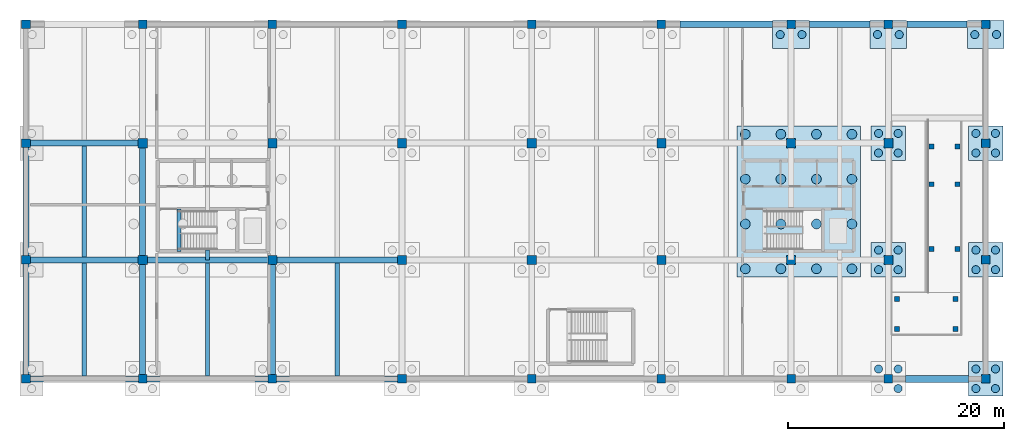
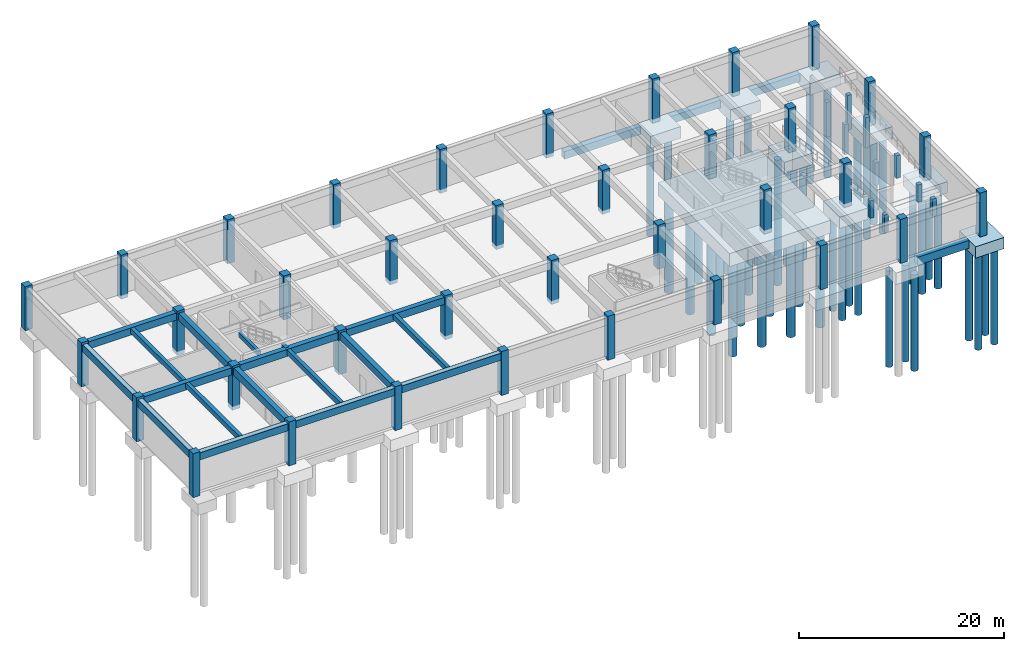
# One storey, part 2 of 8: 46 columns, 45 piles, 18 beams, 13 footings.
"""IFC4 building model written with IfcOpenShell, lengths in metres."""

from ifc_helpers import new_model, si_unit, derived_unit, direction, frame, origin, origin_2d, place, context, subcontext, project, spatial, polyline, rectangle, circle, outline, extrude, material, layer, layer_set, material_profile, profile_set, type_object, element, save


model = new_model("IFC4")

# Units and contexts
model_context = context("Model", 3, precision=1e-05, world=origin(), true_north=direction((0.0, 1.0)))
body_context = subcontext(model_context, "Body", "Model", "MODEL_VIEW")
ifc_project = project(units=[si_unit("LENGTHUNIT", "METRE"), si_unit("AREAUNIT", "SQUARE_METRE"), si_unit("VOLUMEUNIT", "CUBIC_METRE"), si_unit("PLANEANGLEUNIT", "RADIAN"), si_unit("MASSUNIT", "GRAM", prefix="KILO"), derived_unit("THERMALTRANSMITTANCEUNIT", [(si_unit("POWERUNIT", "WATT"), 1), (si_unit("LENGTHUNIT", "METRE"), -2), (si_unit("THERMODYNAMICTEMPERATUREUNIT", "KELVIN"), -1)])], contexts=[model_context])

# Site, building, storey
site_placement = place(None, origin())
site = spatial("IfcSite", under=ifc_project, at=site_placement, CompositionType="ELEMENT")
building_placement = place(site_placement, origin())
building = spatial("IfcBuilding", under=site, at=building_placement, Name="Almenara Railside Exhibition Hall", CompositionType="ELEMENT")
storey_placement = place(building_placement, frame((0.0, 0.0, -4.800048828125)))
storey = spatial("IfcBuildingStorey", under=building, at=storey_placement, Name="B1", CompositionType="ELEMENT", Elevation=-4.800048828125)

# Piles
ifc_material_1 = material(Name="Concrete C40/50", Category="concrete")
ifc_material_profile_1 = material_profile(ifc_material_1, circle(Radius=0.375, at=origin_2d()), Name="CFA-PILE D750")
ifc_profile_set_1 = profile_set([ifc_material_profile_1], Name="Concrete C40/50")
pile_type_1 = type_object("IfcPileType", Name="CFA Bored Pile D750 C40/50", PredefinedType="BORED", material=ifc_profile_set_1)
for number, where, z_axis, x_axis, name in (
    (1, (184.9951171875, 31.85009765625, -1.75), (0.0, 0.0, -1.0), (1.0, 0.0, 0.0), "Bored pile 0386"),
    (2, (187.0048828125, 31.85009765625, -1.75), (0.0, 0.0, -1.0), (1.0, 0.0, 0.0), "Bored pile 0387"),
):
    element("IfcPile", number, at=place(storey_placement, frame(where, z_axis=z_axis, x_axis=x_axis)), inside=storey, type_object=pile_type_1, Name=name, PredefinedType="BORED", context=body_context, shape_type="SweptSolid", body=[
        extrude(circle(Radius=0.375, at=origin_2d()), origin(), (0.0, 0.0, 1.0), 11.449951171875),
    ])
for number, where, z_axis, x_axis, name in (
    (3, (194.094970703125, 0.905029296875, -1.699951171875), (0.0, 0.0, -1.0), (1.0, 0.0, 0.0), "Bored pile 0389"),
    (4, (195.905029296875, -0.905029296875, -1.699951171875), (0.0, 0.0, -1.0), (1.0, 0.0, 0.0), "Bored pile 0390"),
    (5, (195.905029296875, 0.905029296875, -1.699951171875), (0.0, 0.0, -1.0), (1.0, 0.0, 0.0), "Bored pile 0391"),
    (6, (194.094970703125, 10.094970703125, -1.699951171875), (0.0, 0.0, -1.0), (1.0, 0.0, 0.0), "Bored pile 0392"),
    (7, (194.094970703125, 11.905029296875, -1.699951171875), (0.0, 0.0, -1.0), (1.0, 0.0, 0.0), "Bored pile 0393"),
    (8, (195.905029296875, 10.094970703125, -1.699951171875), (0.0, 0.0, -1.0), (1.0, 0.0, 0.0), "Bored pile 0394"),
    (9, (195.905029296875, 11.905029296875, -1.699951171875), (0.0, 0.0, -1.0), (1.0, 0.0, 0.0), "Bored pile 0395"),
    (10, (194.094970703125, 20.89501953125, -1.699951171875), (0.0, 0.0, -1.0), (1.0, 0.0, 0.0), "Bored pile 0396"),
    (11, (194.094970703125, 22.705078125, -1.699951171875), (0.0, 0.0, -1.0), (1.0, 0.0, 0.0), "Bored pile 0397"),
    (12, (195.905029296875, 20.89501953125, -1.699951171875), (0.0, 0.0, -1.0), (1.0, 0.0, 0.0), "Bored pile 0398"),
    (13, (195.905029296875, 22.705078125, -1.699951171875), (0.0, 0.0, -1.0), (1.0, 0.0, 0.0), "Bored pile 0399"),
):
    element("IfcPile", number, at=place(storey_placement, frame(where, z_axis=z_axis, x_axis=x_axis)), inside=storey, type_object=pile_type_1, Name=name, PredefinedType="BORED", context=body_context, shape_type="SweptSolid", body=[
        extrude(circle(Radius=0.375, at=origin_2d()), origin(), (0.0, 0.0, 1.0), 11.5),
    ])
for number, where, z_axis, x_axis, name in (
    (14, (193.9951171875, 31.85009765625, -1.75), (0.0, 0.0, -1.0), (1.0, 0.0, 0.0), "Bored pile 0400"),
    (15, (196.0048828125, 31.85009765625, -1.75), (0.0, 0.0, -1.0), (1.0, 0.0, 0.0), "Bored pile 0401"),
):
    element("IfcPile", number, at=place(storey_placement, frame(where, z_axis=z_axis, x_axis=x_axis)), inside=storey, type_object=pile_type_1, Name=name, PredefinedType="BORED", context=body_context, shape_type="SweptSolid", body=[
        extrude(circle(Radius=0.375, at=origin_2d()), origin(), (0.0, 0.0, 1.0), 11.449951171875),
    ])
for number, where, z_axis, x_axis, name in (
    (16, (203.094970703125, -0.905029296875, -1.699951171875), (0.0, 0.0, -1.0), (1.0, 0.0, 0.0), "Bored pile 0402"),
    (17, (203.094970703125, 0.905029296875, -1.699951171875), (0.0, 0.0, -1.0), (1.0, 0.0, 0.0), "Bored pile 0403"),
    (18, (204.905029296875, -0.905029296875, -1.699951171875), (0.0, 0.0, -1.0), (1.0, 0.0, 0.0), "Bored pile 0404"),
    (19, (204.905029296875, 0.905029296875, -1.699951171875), (0.0, 0.0, -1.0), (1.0, 0.0, 0.0), "Bored pile 0405"),
    (20, (203.094970703125, 10.094970703125, -1.699951171875), (0.0, 0.0, -1.0), (1.0, 0.0, 0.0), "Bored pile 0406"),
    (21, (203.094970703125, 11.905029296875, -1.699951171875), (0.0, 0.0, -1.0), (1.0, 0.0, 0.0), "Bored pile 0407"),
    (22, (204.905029296875, 10.094970703125, -1.699951171875), (0.0, 0.0, -1.0), (1.0, 0.0, 0.0), "Bored pile 0408"),
    (23, (204.905029296875, 11.905029296875, -1.699951171875), (0.0, 0.0, -1.0), (1.0, 0.0, 0.0), "Bored pile 0409"),
    (24, (203.094970703125, 20.89501953125, -1.699951171875), (0.0, 0.0, -1.0), (1.0, 0.0, 0.0), "Bored pile 0410"),
    (25, (203.094970703125, 22.705078125, -1.699951171875), (0.0, 0.0, -1.0), (1.0, 0.0, 0.0), "Bored pile 0411"),
    (26, (204.905029296875, 20.89501953125, -1.699951171875), (0.0, 0.0, -1.0), (1.0, 0.0, 0.0), "Bored pile 0412"),
    (27, (204.905029296875, 22.705078125, -1.699951171875), (0.0, 0.0, -1.0), (1.0, 0.0, 0.0), "Bored pile 0413"),
):
    element("IfcPile", number, at=place(storey_placement, frame(where, z_axis=z_axis, x_axis=x_axis)), inside=storey, type_object=pile_type_1, Name=name, PredefinedType="BORED", context=body_context, shape_type="SweptSolid", body=[
        extrude(circle(Radius=0.375, at=origin_2d()), origin(), (0.0, 0.0, 1.0), 11.5),
    ])
for number, where, z_axis, x_axis, name in (
    (28, (202.9951171875, 31.85009765625, -1.75), (0.0, 0.0, -1.0), (1.0, 0.0, 0.0), "Bored pile 0414"),
    (29, (205.0048828125, 31.85009765625, -1.75), (0.0, 0.0, -1.0), (1.0, 0.0, 0.0), "Bored pile 0415"),
):
    element("IfcPile", number, at=place(storey_placement, frame(where, z_axis=z_axis, x_axis=x_axis)), inside=storey, type_object=pile_type_1, Name=name, PredefinedType="BORED", context=body_context, shape_type="SweptSolid", body=[
        extrude(circle(Radius=0.375, at=origin_2d()), origin(), (0.0, 0.0, 1.0), 11.449951171875),
    ])
ifc_material_profile_2 = material_profile(ifc_material_1, circle(Radius=0.449951171875, at=origin_2d()), Name="CFA-PILE D900")
ifc_profile_set_2 = profile_set([ifc_material_profile_2], Name="Concrete C40/50")
pile_type_2 = type_object("IfcPileType", Name="CFA Bored Pile D900 C40/50", PredefinedType="BORED", material=ifc_profile_set_2)
for number, where, z_axis, x_axis, name in (
    (30, (181.77001953125, 10.169921875, -1.89990234375), (0.0, 0.0, -1.0), (1.0, 0.0, 0.0), "Bored pile 0081"),
    (31, (181.77001953125, 14.322998046875, -1.89990234375), (0.0, 0.0, -1.0), (1.0, 0.0, 0.0), "Bored pile 0082"),
    (32, (181.77001953125, 18.47705078125, -1.89990234375), (0.0, 0.0, -1.0), (1.0, 0.0, 0.0), "Bored pile 0083"),
    (33, (181.77001953125, 22.6298828125, -1.89990234375), (0.0, 0.0, -1.0), (1.0, 0.0, 0.0), "Bored pile 0084"),
    (34, (185.056884765625, 10.169921875, -1.89990234375), (0.0, 0.0, -1.0), (1.0, 0.0, 0.0), "Bored pile 0085"),
    (35, (185.056884765625, 14.322998046875, -1.89990234375), (0.0, 0.0, -1.0), (1.0, 0.0, 0.0), "Bored pile 0086"),
    (36, (185.056884765625, 18.47705078125, -1.89990234375), (0.0, 0.0, -1.0), (1.0, 0.0, 0.0), "Bored pile 0087"),
    (37, (185.056884765625, 22.6298828125, -1.89990234375), (0.0, 0.0, -1.0), (1.0, 0.0, 0.0), "Bored pile 0088"),
    (38, (188.343017578125, 10.169921875, -1.89990234375), (0.0, 0.0, -1.0), (1.0, 0.0, 0.0), "Bored pile 0089"),
    (39, (188.343017578125, 14.322998046875, -1.89990234375), (0.0, 0.0, -1.0), (1.0, 0.0, 0.0), "Bored pile 0090"),
    (40, (188.343017578125, 18.47705078125, -1.89990234375), (0.0, 0.0, -1.0), (1.0, 0.0, 0.0), "Bored pile 0091"),
    (41, (188.343017578125, 22.6298828125, -1.89990234375), (0.0, 0.0, -1.0), (1.0, 0.0, 0.0), "Bored pile 0092"),
    (42, (191.6298828125, 10.169921875, -1.89990234375), (0.0, 0.0, -1.0), (1.0, 0.0, 0.0), "Bored pile 0093"),
    (43, (191.6298828125, 14.322998046875, -1.89990234375), (0.0, 0.0, -1.0), (1.0, 0.0, 0.0), "Bored pile 0094"),
    (44, (191.6298828125, 18.47705078125, -1.89990234375), (0.0, 0.0, -1.0), (1.0, 0.0, 0.0), "Bored pile 0095"),
    (45, (191.6298828125, 22.6298828125, -1.89990234375), (0.0, 0.0, -1.0), (1.0, 0.0, 0.0), "Bored pile 0096"),
):
    element("IfcPile", number, at=place(storey_placement, frame(where, z_axis=z_axis, x_axis=x_axis)), inside=storey, type_object=pile_type_2, Name=name, PredefinedType="BORED", context=body_context, shape_type="SweptSolid", body=[
        extrude(circle(Radius=0.449951171875, at=origin_2d()), origin(), (0.0, 0.0, 1.0), 11.300048828125),
    ])

# Footings
ifc_layer_1 = layer(ifc_material_1, 1.550048828125, Name="Concrete C40/50")
ifc_layer_set_1 = layer_set([ifc_layer_1], Name="Concrete C40/50")
footing_type_1 = type_object("IfcFootingType", Name="Core Six-Pile Cap 9400x9000x1550 C40/50", PredefinedType="PILE_CAP", material=ifc_layer_set_1)
footing_1_placement = place(storey_placement, frame((0.0, 0.0, -2.0)))
element("IfcFooting", 46, at=footing_1_placement, inside=storey, type_object=footing_type_1, Name="Pile cap PC-6A-006", PredefinedType="PILE_CAP", context=body_context, shape_type="SweptSolid", body=[
    extrude(outline(polyline([(181.0, 9.39990234375), (192.39990234375, 9.39990234375), (192.39990234375, 23.39990234375), (181.0, 23.39990234375), (181.0, 9.39990234375)])), origin(), (0.0, 0.0, 1.0), 1.550048828125),
])
ifc_layer_2 = layer(ifc_material_1, 1.39990234375, Name="Concrete C40/50")
ifc_layer_set_2 = layer_set([ifc_layer_2], Name="Concrete C40/50")
footing_type_2 = type_object("IfcFootingType", Name="Eccentric Joint Four-Pile Cap 3400x2800x1400 C40/50", PredefinedType="PILE_CAP", material=ifc_layer_set_2)
footing_2_placement = place(storey_placement, frame((0.0, 0.0, -1.849853515625)))
element("IfcFooting", 47, at=footing_2_placement, inside=storey, type_object=footing_type_2, Name="Pile cap PC-4J-145", PredefinedType="PILE_CAP", context=body_context, shape_type="SweptSolid", body=[
    extrude(outline(polyline([(184.300048828125, 30.550048828125), (187.699951171875, 30.550048828125), (187.699951171875, 33.14990234375), (184.300048828125, 33.14990234375), (184.300048828125, 30.550048828125)])), origin(), (0.0, 0.0, 1.0), 1.39990234375),
])
footing_3_placement = place(storey_placement, frame((0.0, 0.0, -1.849853515625)))
element("IfcFooting", 48, at=footing_3_placement, inside=storey, type_object=footing_type_2, Name="Pile cap PC-4J-149", PredefinedType="PILE_CAP", context=body_context, shape_type="SweptSolid", body=[
    extrude(outline(polyline([(193.300048828125, 30.550048828125), (196.699951171875, 30.550048828125), (196.699951171875, 33.14990234375), (193.300048828125, 33.14990234375), (193.300048828125, 30.550048828125)])), origin(), (0.0, 0.0, 1.0), 1.39990234375),
])
footing_4_placement = place(storey_placement, frame((0.0, 0.0, -1.849853515625)))
element("IfcFooting", 49, at=footing_4_placement, inside=storey, type_object=footing_type_2, Name="Pile cap PC-4J-153", PredefinedType="PILE_CAP", context=body_context, shape_type="SweptSolid", body=[
    extrude(outline(polyline([(202.300048828125, 30.550048828125), (205.699951171875, 30.550048828125), (205.699951171875, 33.14990234375), (202.300048828125, 33.14990234375), (202.300048828125, 30.550048828125)])), origin(), (0.0, 0.0, 1.0), 1.39990234375),
])
ifc_material_2 = material(Name="Concrete C35/45", Category="concrete")
ifc_material_profile_3 = material_profile(ifc_material_2, rectangle(XDim=0.60009765625, YDim=0.89990234375, at=origin_2d()), Name="RC-GB 600x900")
ifc_profile_set_3 = profile_set([ifc_material_profile_3], Name="Concrete C35/45")
footing_type_3 = type_object("IfcFootingType", Name="Ground Tie Beam 600x900 C35/45", PredefinedType="FOOTING_BEAM", material=ifc_profile_set_3)
footing_5_placement = place(storey_placement, frame((175.701904296875, 32.800048828125, -0.89990234375), z_axis=(1.0, 0.0, 0.0), x_axis=(0.0, 1.0, 0.0)))
element("IfcFooting", 50, at=footing_5_placement, inside=storey, type_object=footing_type_3, Name="GB-B1-014", PredefinedType="FOOTING_BEAM", context=body_context, shape_type="SweptSolid", body=[
    extrude(rectangle(XDim=0.60009765625, YDim=0.89990234375, at=origin_2d()), origin(), (0.0, 0.0, 1.0), 8.59619140625),
])
for number, where, z_axis, x_axis, name in (
    (51, (187.701904296875, 32.800048828125, -0.89990234375), (1.0, 0.0, 0.0), (0.0, 1.0, 0.0), "GB-B1-015"),
    (52, (196.701904296875, 32.800048828125, -0.89990234375), (1.0, 0.0, 0.0), (0.0, 1.0, 0.0), "GB-B1-016"),
):
    element("IfcFooting", number, at=place(storey_placement, frame(where, z_axis=z_axis, x_axis=x_axis)), inside=storey, type_object=footing_type_3, Name=name, PredefinedType="FOOTING_BEAM", context=body_context, shape_type="SweptSolid", body=[
        extrude(rectangle(XDim=0.60009765625, YDim=0.89990234375, at=origin_2d()), origin(), (0.0, 0.0, 1.0), 5.59619140625),
    ])
ifc_material_profile_4 = material_profile(ifc_material_2, rectangle(XDim=0.64990234375, YDim=0.949951171875, at=origin_2d()), Name="RC-GB 650x950")
ifc_profile_set_4 = profile_set([ifc_material_profile_4], Name="Concrete C35/45")
footing_type_4 = type_object("IfcFootingType", Name="Ground Tie Beam 650x950 C35/45", PredefinedType="FOOTING_BEAM", material=ifc_profile_set_4)
footing_6_placement = place(storey_placement, frame((196.60205078125, 0.0, -0.925048828125), z_axis=(1.0, 0.0, 0.0), x_axis=(0.0, 1.0, 0.0)))
element("IfcFooting", 53, at=footing_6_placement, inside=storey, type_object=footing_type_4, Name="GB-B1-008", PredefinedType="FOOTING_BEAM", context=body_context, shape_type="SweptSolid", body=[
    extrude(rectangle(XDim=0.64990234375, YDim=0.949951171875, at=origin_2d()), origin(), (0.0, 0.0, 1.0), 5.7958984375),
])
ifc_layer_3 = layer(ifc_material_1, 1.35009765625, Name="Concrete C40/50")
ifc_layer_set_3 = layer_set([ifc_layer_3], Name="Concrete C40/50")
footing_type_5 = type_object("IfcFootingType", Name="Wing Four-Pile Cap 3200x3200x1350 C40/50", PredefinedType="PILE_CAP", material=ifc_layer_set_3)
footing_7_placement = place(storey_placement, frame((0.0, 0.0, -1.800048828125)))
element("IfcFooting", 54, at=footing_7_placement, inside=storey, type_object=footing_type_5, Name="Pile cap PC-4W-147", PredefinedType="PILE_CAP", context=body_context, shape_type="SweptSolid", body=[
    extrude(outline(polyline([(193.39990234375, 9.39990234375), (196.60009765625, 9.39990234375), (196.60009765625, 12.60009765625), (193.39990234375, 12.60009765625), (193.39990234375, 9.39990234375)])), origin(), (0.0, 0.0, 1.0), 1.35009765625),
])
footing_8_placement = place(storey_placement, frame((0.0, 0.0, -1.800048828125)))
element("IfcFooting", 55, at=footing_8_placement, inside=storey, type_object=footing_type_5, Name="Pile cap PC-4W-148", PredefinedType="PILE_CAP", context=body_context, shape_type="SweptSolid", body=[
    extrude(outline(polyline([(193.39990234375, 20.199951171875), (196.60009765625, 20.199951171875), (196.60009765625, 23.39990234375), (193.39990234375, 23.39990234375), (193.39990234375, 20.199951171875)])), origin(), (0.0, 0.0, 1.0), 1.35009765625),
])
footing_9_placement = place(storey_placement, frame((0.0, 0.0, -1.800048828125)))
element("IfcFooting", 56, at=footing_9_placement, inside=storey, type_object=footing_type_5, Name="Pile cap PC-4W-150", PredefinedType="PILE_CAP", context=body_context, shape_type="SweptSolid", body=[
    extrude(outline(polyline([(202.39990234375, -1.60009765625), (205.60009765625, -1.60009765625), (205.60009765625, 1.60009765625), (202.39990234375, 1.60009765625), (202.39990234375, -1.60009765625)])), origin(), (0.0, 0.0, 1.0), 1.35009765625),
])
footing_10_placement = place(storey_placement, frame((0.0, 0.0, -1.800048828125)))
element("IfcFooting", 57, at=footing_10_placement, inside=storey, type_object=footing_type_5, Name="Pile cap PC-4W-151", PredefinedType="PILE_CAP", context=body_context, shape_type="SweptSolid", body=[
    extrude(outline(polyline([(202.39990234375, 9.39990234375), (205.60009765625, 9.39990234375), (205.60009765625, 12.60009765625), (202.39990234375, 12.60009765625), (202.39990234375, 9.39990234375)])), origin(), (0.0, 0.0, 1.0), 1.35009765625),
])
footing_11_placement = place(storey_placement, frame((0.0, 0.0, -1.800048828125)))
element("IfcFooting", 58, at=footing_11_placement, inside=storey, type_object=footing_type_5, Name="Pile cap PC-4W-152", PredefinedType="PILE_CAP", context=body_context, shape_type="SweptSolid", body=[
    extrude(outline(polyline([(202.39990234375, 20.199951171875), (205.60009765625, 20.199951171875), (205.60009765625, 23.39990234375), (202.39990234375, 23.39990234375), (202.39990234375, 20.199951171875)])), origin(), (0.0, 0.0, 1.0), 1.35009765625),
])

# Columns
ifc_material_profile_5 = material_profile(ifc_material_2, rectangle(XDim=0.449951171875, YDim=0.449951171875, at=origin_2d()), Name="RC 450x450")
ifc_profile_set_5 = profile_set([ifc_material_profile_5], Name="Concrete C35/45")
column_type_1 = type_object("IfcColumnType", Name="RC Column 450x450 C35/45", PredefinedType="COLUMN", material=ifc_profile_set_5)
for number, where, z_axis, x_axis, name in (
    (59, (195.800048828125, 4.60009765625, 0.0), (0.0, 0.0, 1.0), (1.0, 0.0, 0.0), "COL-CRL1-1958-46"),
    (60, (195.800048828125, 7.39990234375, 0.0), (0.0, 0.0, 1.0), (1.0, 0.0, 0.0), "COL-CRL1-1958-74"),
    (61, (201.199951171875, 4.60009765625, 0.0), (0.0, 0.0, 1.0), (1.0, 0.0, 0.0), "COL-CRL1-2012-46"),
    (62, (201.199951171875, 7.39990234375, 0.0), (0.0, 0.0, 1.0), (1.0, 0.0, 0.0), "COL-CRL1-2012-74"),
):
    element("IfcColumn", number, at=place(storey_placement, frame(where, z_axis=z_axis, x_axis=x_axis)), inside=storey, type_object=column_type_1, Name=name, PredefinedType="COLUMN", context=body_context, shape_type="SweptSolid", body=[
        extrude(rectangle(XDim=0.449951171875, YDim=0.449951171875, at=origin_2d()), origin(), (0.0, 0.0, 1.0), 2.072021484375),
    ])
for number, where, z_axis, x_axis, name in (
    (63, (199.0, 12.0, 0.0), (0.0, 0.0, 1.0), (1.0, 0.0, 0.0), "COL-CRF2-1990-120"),
    (64, (201.39990234375, 12.0, 0.0), (0.0, 0.0, 1.0), (1.0, 0.0, 0.0), "COL-CRF2-2014-120"),
):
    element("IfcColumn", number, at=place(storey_placement, frame(where, z_axis=z_axis, x_axis=x_axis)), inside=storey, type_object=column_type_1, Name=name, PredefinedType="COLUMN", context=body_context, shape_type="SweptSolid", body=[
        extrude(rectangle(XDim=0.449951171875, YDim=0.449951171875, at=origin_2d()), origin(), (0.0, 0.0, 1.0), 2.701904296875),
    ])
for number, where, z_axis, x_axis, name in (
    (65, (199.0, 18.0, 0.0), (0.0, 0.0, 1.0), (1.0, 0.0, 0.0), "COL-CRF2-1990-180"),
    (66, (201.39990234375, 18.0, 0.0), (0.0, 0.0, 1.0), (1.0, 0.0, 0.0), "COL-CRF2-2014-180"),
):
    element("IfcColumn", number, at=place(storey_placement, frame(where, z_axis=z_axis, x_axis=x_axis)), inside=storey, type_object=column_type_1, Name=name, PredefinedType="COLUMN", context=body_context, shape_type="SweptSolid", body=[
        extrude(rectangle(XDim=0.449951171875, YDim=0.449951171875, at=origin_2d()), origin(), (0.0, 0.0, 1.0), 3.604248046875),
    ])
for number, where, z_axis, x_axis, name in (
    (67, (199.0, 21.5, 0.0), (0.0, 0.0, 1.0), (1.0, 0.0, 0.0), "COL-CRF2-1990-215"),
    (68, (201.39990234375, 21.5, 0.0), (0.0, 0.0, 1.0), (1.0, 0.0, 0.0), "COL-CRF2-2014-215"),
):
    element("IfcColumn", number, at=place(storey_placement, frame(where, z_axis=z_axis, x_axis=x_axis)), inside=storey, type_object=column_type_1, Name=name, PredefinedType="COLUMN", context=body_context, shape_type="SweptSolid", body=[
        extrude(rectangle(XDim=0.449951171875, YDim=0.449951171875, at=origin_2d()), origin(), (0.0, 0.0, 1.0), 4.13037109375),
    ])
ifc_material_profile_6 = material_profile(ifc_material_1, rectangle(XDim=0.800048828125, YDim=0.800048828125, at=origin_2d()), Name="RC 800x800")
ifc_profile_set_6 = profile_set([ifc_material_profile_6], Name="Concrete C40/50")
column_type_2 = type_object("IfcColumnType", Name="RC Column 800x800 C40/50", PredefinedType="COLUMN", material=ifc_profile_set_6)
for number, where, z_axis, x_axis, name in (
    (69, (115.199951171875, 0.0, -0.449951171875), (0.0, 0.0, 1.0), (1.0, 0.0, 0.0), "Column 0285"),
    (70, (115.199951171875, 11.0, -0.449951171875), (0.0, 0.0, 1.0), (1.0, 0.0, 0.0), "Column 0289"),
    (71, (115.199951171875, 21.800048828125, -0.449951171875), (0.0, 0.0, 1.0), (1.0, 0.0, 0.0), "Column 0293"),
    (72, (115.199951171875, 32.800048828125, -0.449951171875), (0.0, 0.0, 1.0), (1.0, 0.0, 0.0), "Column 0297"),
    (73, (126.0, 0.0, -0.449951171875), (0.0, 0.0, 1.0), (1.0, 0.0, 0.0), "Column 0301"),
    (74, (126.0, 32.800048828125, -0.449951171875), (0.0, 0.0, 1.0), (1.0, 0.0, 0.0), "Column 0316"),
    (75, (138.0, 0.0, -0.449951171875), (0.0, 0.0, 1.0), (1.0, 0.0, 0.0), "Column 0320"),
    (76, (138.0, 32.800048828125, -0.449951171875), (0.0, 0.0, 1.0), (1.0, 0.0, 0.0), "Column 0335"),
    (77, (150.0, 0.0, -0.449951171875), (0.0, 0.0, 1.0), (1.0, 0.0, 0.0), "Column 0339"),
    (78, (150.0, 32.800048828125, -0.449951171875), (0.0, 0.0, 1.0), (1.0, 0.0, 0.0), "Column 0354"),
    (79, (162.0, 0.0, -0.449951171875), (0.0, 0.0, 1.0), (1.0, 0.0, 0.0), "Column 0358"),
    (80, (162.0, 32.800048828125, -0.449951171875), (0.0, 0.0, 1.0), (1.0, 0.0, 0.0), "Column 0373"),
    (81, (174.0, 0.0, -0.449951171875), (0.0, 0.0, 1.0), (1.0, 0.0, 0.0), "Column 0377"),
    (82, (174.0, 32.800048828125, -0.449951171875), (0.0, 0.0, 1.0), (1.0, 0.0, 0.0), "Column 0392"),
    (83, (186.0, 0.0, -0.449951171875), (0.0, 0.0, 1.0), (1.0, 0.0, 0.0), "Column 0396"),
    (84, (186.0, 32.800048828125, -0.449951171875), (0.0, 0.0, 1.0), (1.0, 0.0, 0.0), "Column 0411"),
    (85, (195.0, 0.0, -0.449951171875), (0.0, 0.0, 1.0), (1.0, 0.0, 0.0), "Column 0415"),
    (86, (195.0, 32.800048828125, -0.449951171875), (0.0, 0.0, 1.0), (1.0, 0.0, 0.0), "Column 0430"),
    (87, (204.0, 0.0, -0.449951171875), (0.0, 0.0, 1.0), (1.0, 0.0, 0.0), "Column 0434"),
    (88, (204.0, 11.0, -0.449951171875), (0.0, 0.0, 1.0), (1.0, 0.0, 0.0), "Column 0439"),
    (89, (204.0, 21.800048828125, -0.449951171875), (0.0, 0.0, 1.0), (1.0, 0.0, 0.0), "Column 0444"),
    (90, (204.0, 32.800048828125, -0.449951171875), (0.0, 0.0, 1.0), (1.0, 0.0, 0.0), "Column 0449"),
):
    element("IfcColumn", number, at=place(storey_placement, frame(where, z_axis=z_axis, x_axis=x_axis)), inside=storey, type_object=column_type_2, Name=name, PredefinedType="COLUMN", context=body_context, shape_type="SweptSolid", body=[
        extrude(rectangle(XDim=0.800048828125, YDim=0.800048828125, at=origin_2d()), origin(), (0.0, 0.0, 1.0), 5.25),
    ])
ifc_material_profile_7 = material_profile(ifc_material_1, rectangle(XDim=0.85009765625, YDim=0.85009765625, at=origin_2d()), Name="RC 850x850")
ifc_profile_set_7 = profile_set([ifc_material_profile_7], Name="Concrete C40/50")
column_type_3 = type_object("IfcColumnType", Name="RC Column 850x850 C40/50", PredefinedType="COLUMN", material=ifc_profile_set_7)
for number, where, z_axis, x_axis, name in (
    (91, (126.0, 11.0, -0.449951171875), (0.0, 0.0, 1.0), (1.0, 0.0, 0.0), "Column 0306"),
    (92, (126.0, 21.800048828125, -0.449951171875), (0.0, 0.0, 1.0), (1.0, 0.0, 0.0), "Column 0311"),
    (93, (138.0, 11.0, -0.449951171875), (0.0, 0.0, 1.0), (1.0, 0.0, 0.0), "Column 0325"),
    (94, (138.0, 21.800048828125, -0.449951171875), (0.0, 0.0, 1.0), (1.0, 0.0, 0.0), "Column 0330"),
    (95, (150.0, 11.0, -0.449951171875), (0.0, 0.0, 1.0), (1.0, 0.0, 0.0), "Column 0344"),
    (96, (150.0, 21.800048828125, -0.449951171875), (0.0, 0.0, 1.0), (1.0, 0.0, 0.0), "Column 0349"),
    (97, (162.0, 11.0, -0.449951171875), (0.0, 0.0, 1.0), (1.0, 0.0, 0.0), "Column 0363"),
    (98, (162.0, 21.800048828125, -0.449951171875), (0.0, 0.0, 1.0), (1.0, 0.0, 0.0), "Column 0368"),
    (99, (174.0, 11.0, -0.449951171875), (0.0, 0.0, 1.0), (1.0, 0.0, 0.0), "Column 0382"),
    (100, (174.0, 21.800048828125, -0.449951171875), (0.0, 0.0, 1.0), (1.0, 0.0, 0.0), "Column 0387"),
    (101, (186.0, 11.0, -0.449951171875), (0.0, 0.0, 1.0), (1.0, 0.0, 0.0), "Column 0401"),
    (102, (186.0, 21.800048828125, -0.449951171875), (0.0, 0.0, 1.0), (1.0, 0.0, 0.0), "Column 0406"),
    (103, (195.0, 11.0, -0.449951171875), (0.0, 0.0, 1.0), (1.0, 0.0, 0.0), "Column 0420"),
    (104, (195.0, 21.800048828125, -0.449951171875), (0.0, 0.0, 1.0), (1.0, 0.0, 0.0), "Column 0425"),
):
    element("IfcColumn", number, at=place(storey_placement, frame(where, z_axis=z_axis, x_axis=x_axis)), inside=storey, type_object=column_type_3, Name=name, PredefinedType="COLUMN", context=body_context, shape_type="SweptSolid", body=[
        extrude(rectangle(XDim=0.85009765625, YDim=0.85009765625, at=origin_2d()), origin(), (0.0, 0.0, 1.0), 5.25),
    ])

# Beams
ifc_material_profile_8 = material_profile(ifc_material_2, rectangle(XDim=0.550048828125, YDim=0.85009765625, at=origin_2d()), Name="RC 550x850")
ifc_profile_set_8 = profile_set([ifc_material_profile_8], Name="Concrete C35/45")
beam_type_1 = type_object("IfcBeamType", Name="RC Basement Girder 550x850 C35/45", PredefinedType="BEAM", material=ifc_profile_set_8)
beam_1_placement = place(storey_placement, frame((115.199951171875, 0.0, 4.111083984375), z_axis=(1.0, 0.0, 0.0), x_axis=(0.0, 1.0, 0.0)))
element("IfcBeam", 105, at=beam_1_placement, inside=storey, type_object=beam_type_1, Name="Beam 0001", PredefinedType="BEAM", context=body_context, shape_type="SweptSolid", body=[
    extrude(rectangle(XDim=0.550048828125, YDim=0.85009765625, at=origin_2d()), origin(), (0.0, 0.0, 1.0), 10.800048828125),
])
for number, where, z_axis, x_axis, name in (
    (106, (126.0, 0.0, 4.111083984375), (1.0, 0.0, 0.0), (0.0, 1.0, 0.0), "Beam 0002"),
    (107, (138.0, 0.0, 4.111083984375), (1.0, 0.0, 0.0), (0.0, 1.0, 0.0), "Beam 0003"),
):
    element("IfcBeam", number, at=place(storey_placement, frame(where, z_axis=z_axis, x_axis=x_axis)), inside=storey, type_object=beam_type_1, Name=name, PredefinedType="BEAM", context=body_context, shape_type="SweptSolid", body=[
        extrude(rectangle(XDim=0.550048828125, YDim=0.85009765625, at=origin_2d()), origin(), (0.0, 0.0, 1.0), 12.0),
    ])
beam_2_placement = place(storey_placement, frame((115.199951171875, 11.0, 4.111083984375), z_axis=(1.0, 0.0, 0.0), x_axis=(0.0, 1.0, 0.0)))
element("IfcBeam", 108, at=beam_2_placement, inside=storey, type_object=beam_type_1, Name="Beam 0009", PredefinedType="BEAM", context=body_context, shape_type="SweptSolid", body=[
    extrude(rectangle(XDim=0.550048828125, YDim=0.85009765625, at=origin_2d()), origin(), (0.0, 0.0, 1.0), 10.800048828125),
])
for number, where, z_axis, x_axis, name in (
    (109, (126.0, 11.0, 4.111083984375), (1.0, 0.0, 0.0), (0.0, 1.0, 0.0), "Beam 0010"),
    (110, (138.0, 11.0, 4.111083984375), (1.0, 0.0, 0.0), (0.0, 1.0, 0.0), "Beam 0011"),
):
    element("IfcBeam", number, at=place(storey_placement, frame(where, z_axis=z_axis, x_axis=x_axis)), inside=storey, type_object=beam_type_1, Name=name, PredefinedType="BEAM", context=body_context, shape_type="SweptSolid", body=[
        extrude(rectangle(XDim=0.550048828125, YDim=0.85009765625, at=origin_2d()), origin(), (0.0, 0.0, 1.0), 12.0),
    ])
beam_3_placement = place(storey_placement, frame((115.199951171875, 21.800048828125, 4.111083984375), z_axis=(1.0, 0.0, 0.0), x_axis=(0.0, 1.0, 0.0)))
element("IfcBeam", 111, at=beam_3_placement, inside=storey, type_object=beam_type_1, Name="Beam 0016", PredefinedType="BEAM", context=body_context, shape_type="SweptSolid", body=[
    extrude(rectangle(XDim=0.550048828125, YDim=0.85009765625, at=origin_2d()), origin(), (0.0, 0.0, 1.0), 10.800048828125),
])
beam_4_placement = place(storey_placement, frame((115.199951171875, 0.0, 4.111083984375), z_axis=(0.0, 1.0, 0.0), x_axis=(-1.0, 0.0, 0.0)))
element("IfcBeam", 112, at=beam_4_placement, inside=storey, type_object=beam_type_1, Name="Beam 0031", PredefinedType="BEAM", context=body_context, shape_type="SweptSolid", body=[
    extrude(rectangle(XDim=0.550048828125, YDim=0.85009765625, at=origin_2d()), origin(), (0.0, 0.0, 1.0), 11.0),
])
beam_5_placement = place(storey_placement, frame((115.199951171875, 11.0, 4.111083984375), z_axis=(0.0, 1.0, 0.0), x_axis=(-1.0, 0.0, 0.0)))
element("IfcBeam", 113, at=beam_5_placement, inside=storey, type_object=beam_type_1, Name="Beam 0032", PredefinedType="BEAM", context=body_context, shape_type="SweptSolid", body=[
    extrude(rectangle(XDim=0.550048828125, YDim=0.85009765625, at=origin_2d()), origin(), (0.0, 0.0, 1.0), 10.800048828125),
])
beam_6_placement = place(storey_placement, frame((126.0, 0.0, 4.111083984375), z_axis=(0.0, 1.0, 0.0), x_axis=(-1.0, 0.0, 0.0)))
element("IfcBeam", 114, at=beam_6_placement, inside=storey, type_object=beam_type_1, Name="Beam 0034", PredefinedType="BEAM", context=body_context, shape_type="SweptSolid", body=[
    extrude(rectangle(XDim=0.550048828125, YDim=0.85009765625, at=origin_2d()), origin(), (0.0, 0.0, 1.0), 11.0),
])
beam_7_placement = place(storey_placement, frame((126.0, 11.0, 4.111083984375), z_axis=(0.0, 1.0, 0.0), x_axis=(-1.0, 0.0, 0.0)))
element("IfcBeam", 115, at=beam_7_placement, inside=storey, type_object=beam_type_1, Name="Beam 0035", PredefinedType="BEAM", context=body_context, shape_type="SweptSolid", body=[
    extrude(rectangle(XDim=0.550048828125, YDim=0.85009765625, at=origin_2d()), origin(), (0.0, 0.0, 1.0), 10.800048828125),
])
beam_8_placement = place(storey_placement, frame((138.0, 0.0, 4.111083984375), z_axis=(0.0, 1.0, 0.0), x_axis=(-1.0, 0.0, 0.0)))
element("IfcBeam", 116, at=beam_8_placement, inside=storey, type_object=beam_type_1, Name="Beam 0037", PredefinedType="BEAM", context=body_context, shape_type="SweptSolid", body=[
    extrude(rectangle(XDim=0.550048828125, YDim=0.85009765625, at=origin_2d()), origin(), (0.0, 0.0, 1.0), 11.0),
])
ifc_material_profile_9 = material_profile(ifc_material_2, rectangle(XDim=0.39990234375, YDim=0.60009765625, at=origin_2d()), Name="RC 400x600")
ifc_profile_set_9 = profile_set([ifc_material_profile_9], Name="Concrete C35/45")
beam_type_2 = type_object("IfcBeamType", Name="RC Secondary Beam 400x600 C35/45", PredefinedType="BEAM", material=ifc_profile_set_9)
beam_9_placement = place(storey_placement, frame((120.60009765625, 0.27490234375, 4.236083984375), z_axis=(0.0, 1.0, 0.0), x_axis=(-1.0, 0.0, 0.0)))
element("IfcBeam", 117, at=beam_9_placement, inside=storey, type_object=beam_type_2, Name="Beam 0059", PredefinedType="BEAM", context=body_context, shape_type="SweptSolid", body=[
    extrude(rectangle(XDim=0.39990234375, YDim=0.60009765625, at=origin_2d()), origin(), (0.0, 0.0, 1.0), 10.4501953125),
])
beam_10_placement = place(storey_placement, frame((120.60009765625, 11.27490234375, 4.236083984375), z_axis=(0.0, 1.0, 0.0), x_axis=(-1.0, 0.0, 0.0)))
element("IfcBeam", 118, at=beam_10_placement, inside=storey, type_object=beam_type_2, Name="Beam 0060", PredefinedType="BEAM", context=body_context, shape_type="SweptSolid", body=[
    extrude(rectangle(XDim=0.39990234375, YDim=0.60009765625, at=origin_2d()), origin(), (0.0, 0.0, 1.0), 10.25),
])
beam_11_placement = place(storey_placement, frame((132.0, 0.27490234375, 4.236083984375), z_axis=(0.0, 1.0, 0.0), x_axis=(-1.0, 0.0, 0.0)))
element("IfcBeam", 119, at=beam_11_placement, inside=storey, type_object=beam_type_2, Name="Beam 0062", PredefinedType="BEAM", context=body_context, shape_type="SweptSolid", body=[
    extrude(rectangle(XDim=0.39990234375, YDim=0.60009765625, at=origin_2d()), origin(), (0.0, 0.0, 1.0), 10.4501953125),
])
beam_12_placement = place(storey_placement, frame((132.0, 11.0, 4.236083984375), z_axis=(0.0, 1.0, 0.0), x_axis=(-1.0, 0.0, 0.0)))
element("IfcBeam", 120, at=beam_12_placement, inside=storey, type_object=beam_type_2, Name="Beam 0063", PredefinedType="BEAM", context=body_context, shape_type="SweptSolid", body=[
    extrude(rectangle(XDim=0.39990234375, YDim=0.60009765625, at=origin_2d()), origin(), (0.0, 0.0, 1.0), 0.89990234375),
])
beam_13_placement = place(storey_placement, frame((144.0, 0.27490234375, 4.236083984375), z_axis=(0.0, 1.0, 0.0), x_axis=(-1.0, 0.0, 0.0)))
element("IfcBeam", 121, at=beam_13_placement, inside=storey, type_object=beam_type_2, Name="Beam 0066", PredefinedType="BEAM", context=body_context, shape_type="SweptSolid", body=[
    extrude(rectangle(XDim=0.39990234375, YDim=0.60009765625, at=origin_2d()), origin(), (0.0, 0.0, 1.0), 10.4501953125),
])
ifc_material_profile_10 = material_profile(ifc_material_2, rectangle(XDim=0.35009765625, YDim=0.5, at=origin_2d()), Name="RC 350x500")
ifc_profile_set_10 = profile_set([ifc_material_profile_10], Name="Concrete C35/45")
beam_type_3 = type_object("IfcBeamType", Name="RC Spandrel Tie Beam 350x500 C35/45", PredefinedType="SPANDREL", material=ifc_profile_set_10)
beam_14_placement = place(storey_placement, frame((129.35009765625, 11.800048828125, 4.2861328125), z_axis=(0.0, 1.0, 0.0), x_axis=(-1.0, 0.0, 0.0)))
element("IfcBeam", 122, at=beam_14_placement, inside=storey, type_object=beam_type_3, Name="Stair trimmer ST-C5-B1", PredefinedType="SPANDREL", context=body_context, shape_type="SweptSolid", body=[
    extrude(rectangle(XDim=0.35009765625, YDim=0.5, at=origin_2d()), origin(), (0.0, 0.0, 1.0), 3.89990234375),
])

save(model, "model.ifc")
